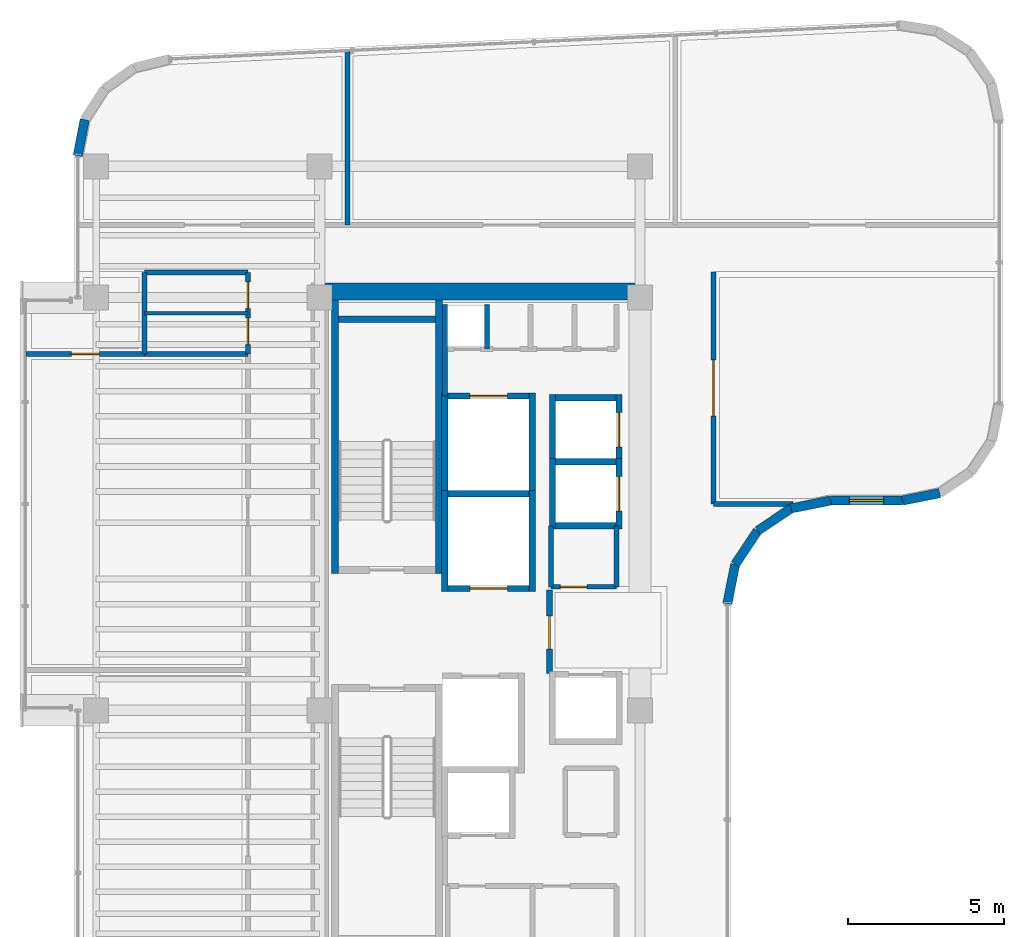
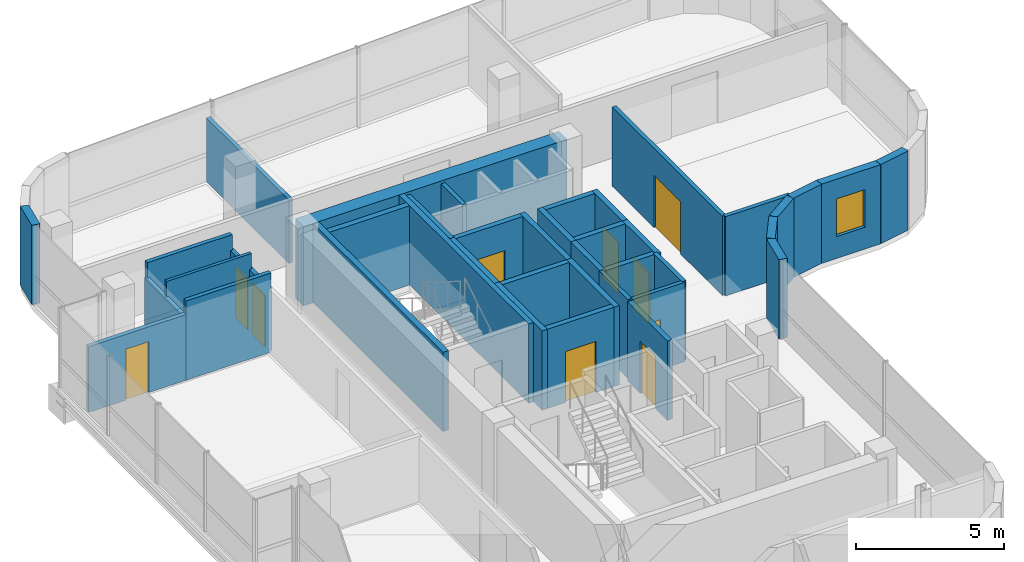
# One storey, part 15 of 18: 40 walls, 10 doors, 1 window, 11 openings.
"""IFC4 building model written with IfcOpenShell, lengths in metres."""

from ifc_helpers import new_model, si_unit, direction, frame, frame_2d, origin, place, context, subcontext, project, spatial, rectangle, extrude, material, layer, layer_set, type_object, element, fill, save


model = new_model("IFC4")

# Units and contexts
model_context = context("Model", 3, precision=1e-05, world=origin(), true_north=direction((0.0, 1.0)))
body_context = subcontext(model_context, "Body", "Model", "MODEL_VIEW")
ifc_project = project(units=[si_unit("LENGTHUNIT", "METRE"), si_unit("AREAUNIT", "SQUARE_METRE"), si_unit("VOLUMEUNIT", "CUBIC_METRE"), si_unit("PLANEANGLEUNIT", "RADIAN"), si_unit("MASSUNIT", "GRAM", prefix="KILO")], contexts=[model_context])

# Site, building, storey
site_placement = place(None, origin())
site = spatial("IfcSite", under=ifc_project, at=site_placement, CompositionType="ELEMENT")
building_placement = place(site_placement, origin())
building = spatial("IfcBuilding", under=site, at=building_placement, Name="Valdorenza Pilgrim Sanctuary Tower", CompositionType="ELEMENT")
storey_placement = place(building_placement, frame((0.0, 0.0, 273.0)))
storey = spatial("IfcBuildingStorey", under=building, at=storey_placement, Name="L71", CompositionType="ELEMENT", Elevation=273.0)

# Walls
ifc_material_1 = material(Name="Acoustic twin-stud gypsum partition", Category="gypsum")
ifc_layer_1 = layer(ifc_material_1, 0.159912109375, Name="Acoustic twin-stud gypsum partition")
ifc_layer_set_1 = layer_set([ifc_layer_1], Name="Acoustic twin-stud gypsum partition")
wall_type_1 = type_object("IfcWallType", Name="WAL-COR-160", PredefinedType="PARTITIONING", material=ifc_layer_set_1)
wall_1_placement = place(storey_placement, frame((-18.64990234375, 7.449951171875, 0.0), z_axis=(0.0, 0.0, 1.0), x_axis=(0.0, 1.0, 0.0)))
element("IfcWall", 1, at=wall_1_placement, inside=storey, type_object=wall_type_1, Name="L71 Core A North Service West Wall", PredefinedType="PARTITIONING", context=body_context, shape_type="SweptSolid", body=[
    extrude(rectangle(XDim=2.929931640625, YDim=0.159912109375, at=frame_2d((1.46484375, 0.0))), origin(), (0.0, 0.0, 1.0), 3.260009765625),
])
wall_2_placement = place(storey_placement, frame((-17.300048828125, 8.949951171875, 0.0), z_axis=(0.0, 0.0, 1.0), x_axis=(0.0, 1.0, 0.0)))
element("IfcWall", 2, at=wall_2_placement, inside=storey, type_object=wall_type_1, Name="L71 Core Electrical Riser Wall", PredefinedType="PARTITIONING", context=body_context, shape_type="SweptSolid", body=[
    extrude(rectangle(XDim=1.429931640625, YDim=0.159912109375, at=frame_2d((0.71484375, 0.0))), origin(), (0.0, 0.0, 1.0), 3.260009765625),
])
wall_3_placement = place(storey_placement, frame((-13.14990234375, 1.35009765625, 0.0), z_axis=(0.0, 0.0, 1.0), x_axis=(0.0, 1.0, 0.0)))
element("IfcWall", 3, at=wall_3_placement, inside=storey, type_object=wall_type_1, Name="L71 Freed Shaft 6 East Wall", PredefinedType="PARTITIONING", context=body_context, shape_type="SweptSolid", body=[
    extrude(rectangle(XDim=1.949951171875, YDim=0.159912109375, at=frame_2d((0.97509765625, 0.0))), origin(), (0.0, 0.0, 1.0), 3.260009765625),
])
wall_4_placement = place(storey_placement, frame((-28.25, 8.800048828125, 0.0), z_axis=(0.0, 0.0, 1.0), x_axis=(0.0, 1.0, 0.0)))
element("IfcWall", 4, at=wall_4_placement, inside=storey, type_object=wall_type_1, Name="L71 Washroom West Wall", PredefinedType="PARTITIONING", context=body_context, shape_type="SweptSolid", body=[
    extrude(rectangle(XDim=2.599853515625, YDim=0.159912109375, at=frame_2d((1.2998046875, 0.0))), origin(), (0.0, 0.0, 1.0), 2.623046875),
])

# Wall, openings, doors
wall_5_placement = place(storey_placement, frame((-24.949951171875, 8.800048828125, 0.0), z_axis=(0.0, 0.0, 1.0), x_axis=(0.0, 1.0, 0.0)))
wall_5 = element("IfcWall", 5, at=wall_5_placement, inside=storey, type_object=wall_type_1, Name="L71 Washroom East Wall", PredefinedType="PARTITIONING", context=body_context, shape_type="SweptSolid", body=[
    extrude(rectangle(XDim=2.599853515625, YDim=0.159912109375, at=frame_2d((1.2998046875, 0.0))), origin(), (0.0, 0.0, 1.0), 2.623046875),
])
opening_1_placement = place(wall_5_placement, frame((0.300048828125, 0.0, 0.0)))
opening_1 = element("IfcOpeningElement", 6, at=opening_1_placement, cuts=wall_5, Name="Opening DR-WC1", PredefinedType="OPENING", context=body_context, shape_type="SweptSolid", body=[
    extrude(rectangle(XDim=0.85009765625, YDim=2.10009765625, at=frame_2d((0.425048828125, 1.050048828125))), frame((0.0, 0.0947265625, 0.0), z_axis=(0.0, -1.0, 0.0), x_axis=(1.0, 0.0, 0.0)), (0.0, 0.0, 1.0), 0.189697265625),
])
opening_2_placement = place(wall_5_placement, frame((1.449951171875, 0.0, 0.0)))
opening_2 = element("IfcOpeningElement", 7, at=opening_2_placement, cuts=wall_5, Name="Opening DR-WC1", PredefinedType="OPENING", context=body_context, shape_type="SweptSolid", body=[
    extrude(rectangle(XDim=0.85009765625, YDim=2.10009765625, at=frame_2d((0.425048828125, 1.050048828125))), frame((0.0, 0.0947265625, 0.0), z_axis=(0.0, -1.0, 0.0), x_axis=(1.0, 0.0, 0.0)), (0.0, 0.0, 1.0), 0.189697265625),
])
ifc_material_2 = material(Name="Moisture-resistant lacquered timber", Category="wood")
door_type_1 = type_object("IfcDoorType", Name="DR-BATH-850", OperationType="NOTDEFINED", PredefinedType="DOOR", material=ifc_material_2)
door_1_placement = place(opening_1_placement, origin())
door_1 = element("IfcDoor", 8, at=door_1_placement, inside=storey, type_object=door_type_1, Name="L71 Accessible Washroom Door", OperationType="SINGLE_SWING_LEFT", OverallHeight=2.10009765625, OverallWidth=0.85009765625, PredefinedType="DOOR", context=body_context, shape_type="SweptSolid", body=[
    extrude(rectangle(XDim=0.85009765625, YDim=2.10009765625, at=frame_2d((0.425048828125, 1.050048828125))), frame((0.0, 0.02490234375, 0.0), z_axis=(0.0, -1.0, 0.0), x_axis=(1.0, 0.0, 0.0)), (0.0, 0.0, 1.0), 0.050048828125),
])
fill(opening_1, door_1)
door_2_placement = place(opening_2_placement, origin())
door_2 = element("IfcDoor", 9, at=door_2_placement, inside=storey, type_object=door_type_1, Name="L71 Public Washroom Door", OperationType="SINGLE_SWING_RIGHT", OverallHeight=2.10009765625, OverallWidth=0.85009765625, PredefinedType="DOOR", context=body_context, shape_type="SweptSolid", body=[
    extrude(rectangle(XDim=0.85009765625, YDim=2.10009765625, at=frame_2d((0.425048828125, 1.050048828125))), frame((0.0, 0.02490234375, 0.0), z_axis=(0.0, -1.0, 0.0), x_axis=(1.0, 0.0, 0.0)), (0.0, 0.0, 1.0), 0.050048828125),
])
fill(opening_2, door_2)

# Walls
for number, where, z_axis, x_axis, name in (
    (10, (-28.25, 8.800048828125, 0.0), (0.0, 0.0, 1.0), (1.0, 0.0, 0.0), "L71 Washroom South Wall"),
    (11, (-28.25, 11.39990234375, 0.0), (0.0, 0.0, 1.0), (1.0, 0.0, 0.0), "L71 Washroom North Wall"),
):
    element("IfcWall", number, at=place(storey_placement, frame(where, z_axis=z_axis, x_axis=x_axis)), inside=storey, type_object=wall_type_1, Name=name, PredefinedType="PARTITIONING", context=body_context, shape_type="SweptSolid", body=[
        extrude(rectangle(XDim=3.300048828125, YDim=0.159912109375, at=frame_2d((1.64990234375, 0.0))), origin(), (0.0, 0.0, 1.0), 3.260009765625),
    ])

# Wall, opening, door
wall_6_placement = place(storey_placement, frame((-32.0400390625, 8.800048828125, 0.0), z_axis=(0.0, 0.0, 1.0), x_axis=(1.0, 0.0, 0.0)))
wall_6 = element("IfcWall", 12, at=wall_6_placement, inside=storey, type_object=wall_type_1, Name="L71 West North Alcove Wall", PredefinedType="PARTITIONING", context=body_context, shape_type="SweptSolid", body=[
    extrude(rectangle(XDim=3.7900390625, YDim=0.159912109375, at=frame_2d((1.89501953125, 0.0))), origin(), (0.0, 0.0, 1.0), 2.7060546875),
])
opening_3_placement = place(wall_6_placement, frame((1.445068359375, 0.0, 0.0)))
opening_3 = element("IfcOpeningElement", 13, at=opening_3_placement, cuts=wall_6, Name="Opening DR-RM1", PredefinedType="OPENING", context=body_context, shape_type="SweptSolid", body=[
    extrude(rectangle(XDim=0.89990234375, YDim=2.10009765625, at=frame_2d((0.449951171875, 1.050048828125))), frame((0.0, 0.0947265625, 0.0), z_axis=(0.0, -1.0, 0.0), x_axis=(1.0, 0.0, 0.0)), (0.0, 0.0, 1.0), 0.189697265625),
])
ifc_material_3 = material(Name="Solid-core European oak timber", Category="wood")
door_type_2 = type_object("IfcDoorType", Name="DR-ROOM-900", OperationType="NOTDEFINED", PredefinedType="DOOR", material=ifc_material_3)
door_3_placement = place(opening_3_placement, frame((0.89990234375, 0.0, 0.0), z_axis=(0.0, 0.0, 1.0), x_axis=(-1.0, 0.0, 0.0)))
door_3 = element("IfcDoor", 14, at=door_3_placement, inside=storey, type_object=door_type_2, Name="L71 Pilgrim Scholar Office L71-WN Door", OperationType="SINGLE_SWING_LEFT", OverallHeight=2.10009765625, OverallWidth=0.89990234375, PredefinedType="DOOR", context=body_context, shape_type="SweptSolid", body=[
    extrude(rectangle(XDim=0.89990234375, YDim=2.10009765625, at=frame_2d((0.449951171875, 1.050048828125))), frame((0.0, 0.02490234375, 0.0), z_axis=(0.0, -1.0, 0.0), x_axis=(1.0, 0.0, 0.0)), (0.0, 0.0, 1.0), 0.050048828125),
])
fill(opening_3, door_3)

wall_7_placement = place(storey_placement, frame((-10.050048828125, 4.0, 0.0), z_axis=(0.0, 0.0, 1.0), x_axis=(0.0, 1.0, 0.0)))
wall_7 = element("IfcWall", 15, at=wall_7_placement, inside=storey, type_object=wall_type_1, Name="L71 East Stub Corridor Wall", PredefinedType="PARTITIONING", context=body_context, shape_type="SweptSolid", body=[
    extrude(rectangle(XDim=7.419921875, YDim=0.159912109375, at=frame_2d((3.7099609375, 0.0))), origin(), (0.0, 0.0, 1.0), 3.260009765625),
])
opening_4_placement = place(wall_7_placement, frame((2.81005859375, 0.0, 0.0)))
opening_4 = element("IfcOpeningElement", 16, at=opening_4_placement, cuts=wall_7, Name="Opening DR-HL1", PredefinedType="OPENING", context=body_context, shape_type="SweptSolid", body=[
    extrude(rectangle(XDim=1.800048828125, YDim=2.14990234375, at=frame_2d((0.89990234375, 1.074951171875))), frame((0.0, 0.0947265625, 0.0), z_axis=(0.0, -1.0, 0.0), x_axis=(1.0, 0.0, 0.0)), (0.0, 0.0, 1.0), 0.189697265625),
])
ifc_material_4 = material(Name="Acoustic oak and vision-glass double door", Category="glass")
door_type_3 = type_object("IfcDoorType", Name="DR-HALL-1800", OperationType="NOTDEFINED", PredefinedType="DOOR", material=ifc_material_4)
door_4_placement = place(opening_4_placement, origin())
door_4 = element("IfcDoor", 17, at=door_4_placement, inside=storey, type_object=door_type_3, Name="L71 Sacred Art Exhibition Gallery L71-E1 Door", OperationType="DOUBLE_DOOR_SINGLE_SWING", OverallHeight=2.14990234375, OverallWidth=1.800048828125, PredefinedType="DOOR", context=body_context, shape_type="SweptSolid", body=[
    extrude(rectangle(XDim=1.800048828125, YDim=2.14990234375, at=frame_2d((0.89990234375, 1.074951171875))), frame((0.0, 0.02490234375, 0.0), z_axis=(0.0, -1.0, 0.0), x_axis=(1.0, 0.0, 0.0)), (0.0, 0.0, 1.0), 0.050048828125),
])
fill(opening_4, door_4)

# Walls
wall_8_placement = place(storey_placement, frame((-10.050048828125, 4.0, 0.0), z_axis=(0.0, 0.0, 1.0), x_axis=(1.0, 0.0, 0.0)))
element("IfcWall", 18, at=wall_8_placement, inside=storey, type_object=wall_type_1, Name="L71 East Stub South Wall", PredefinedType="PARTITIONING", context=body_context, shape_type="SweptSolid", body=[
    extrude(rectangle(XDim=2.545654296875, YDim=0.159912109375, at=frame_2d((1.27294921875, 0.0))), origin(), (0.0, 0.0, 1.0), 3.260009765625),
])
ifc_material_5 = material(Name="Concrete C50/60", Category="concrete")
ifc_layer_2 = layer(ifc_material_5, 0.550048828125, Name="Concrete C50/60")
ifc_layer_set_2 = layer_set([ifc_layer_2], Name="Concrete C50/60")
wall_type_2 = type_object("IfcWallType", Name="WAL-COR-550", PredefinedType="SHEAR", material=ifc_layer_set_2)
wall_9_placement = place(storey_placement, frame((-22.64990234375, 10.800048828125, 0.0), z_axis=(0.0, 0.0, 1.0), x_axis=(1.0, 0.0, 0.0)))
element("IfcWall", 19, at=wall_9_placement, inside=storey, type_object=wall_type_2, Name="L71 Split Core A Shear Wall N", PredefinedType="SHEAR", context=body_context, shape_type="SweptSolid", body=[
    extrude(rectangle(XDim=10.25, YDim=0.550048828125, at=frame_2d((5.125, 0.0))), origin(), (0.0, 0.0, 1.0), 3.260009765625),
])
ifc_material_6 = material(Name="Honed travertine limestone", Category="masonry")
ifc_layer_3 = layer(ifc_material_6, 0.300048828125, Name="Honed travertine limestone")
ifc_layer_set_3 = layer_set([ifc_layer_3], Name="Honed travertine limestone")
wall_type_3 = type_object("IfcWallType", Name="WAL-EXT-300", PredefinedType="SOLIDWALL", material=ifc_layer_set_3)
wall_10_placement = place(storey_placement, frame((-30.389892578125, 15.13671875, 0.0), z_axis=(0.0, 0.0, 1.0), x_axis=(0.189307792679, 0.981917796779, 0.0)))
element("IfcWall", 20, at=wall_10_placement, inside=storey, type_object=wall_type_3, Name="L71 Rounded Wind-Corner Stone Pier 2", PredefinedType="SOLIDWALL", context=body_context, shape_type="SweptSolid", body=[
    extrude(rectangle(XDim=1.179931640625, YDim=0.300048828125, at=frame_2d((0.58984375, 0.0))), origin(), (0.0, 0.0, 1.0), 3.260009765625),
])
wall_11_placement = place(storey_placement, frame((-2.818359375, 4.34716796875, 0.0), z_axis=(0.0, 0.0, 1.0), x_axis=(-0.980804027463, -0.194996050505, 0.0)))
element("IfcWall", 21, at=wall_11_placement, inside=storey, type_object=wall_type_3, Name="L71 Rounded Wind-Corner Stone Pier 15", PredefinedType="SOLIDWALL", context=body_context, shape_type="SweptSolid", body=[
    extrude(rectangle(XDim=1.2158203125, YDim=0.300048828125, at=frame_2d((0.60791015625, 0.0))), origin(), (0.0, 0.0, 1.0), 3.260009765625),
])

# Wall, opening, window
wall_12_placement = place(storey_placement, frame((-4.0107421875, 4.110107421875, 0.0), z_axis=(0.0, 0.0, 1.0), x_axis=(-1.0, 0.0, 0.0)))
wall_12 = element("IfcWall", 22, at=wall_12_placement, inside=storey, type_object=wall_type_3, Name="L71 Rounded Wind-Corner Stone Pier 16", PredefinedType="SOLIDWALL", context=body_context, shape_type="SweptSolid", body=[
    extrude(rectangle(XDim=2.300048828125, YDim=0.300048828125, at=frame_2d((1.14990234375, 0.0))), origin(), (0.0, 0.0, 1.0), 3.260009765625),
])
opening_5_placement = place(wall_12_placement, frame((0.60009765625, 0.0, 0.89990234375)))
opening_5 = element("IfcOpeningElement", 23, at=opening_5_placement, cuts=wall_12, Name="Opening WN-CR1", PredefinedType="OPENING", context=body_context, shape_type="SweptSolid", body=[
    extrude(rectangle(XDim=1.10009765625, YDim=1.550048828125, at=frame_2d((0.550048828125, 0.77490234375))), frame((0.0, 0.1650390625, 0.0), z_axis=(0.0, -1.0, 0.0), x_axis=(1.0, 0.0, 0.0)), (0.0, 0.0, 1.0), 0.329833984375),
])
ifc_material_7 = material(Name="Ceramic-fritted low-E IGU glazing", Category="glass")
window_type = type_object("IfcWindowType", Name="WIN-CRN-1200", PartitioningType="SINGLE_PANEL", PredefinedType="WINDOW", material=ifc_material_7)
window_placement = place(opening_5_placement, origin())
window = element("IfcWindow", 24, at=window_placement, inside=storey, type_object=window_type, Name="L71 Rounded Corner Slot Window 16", OverallHeight=1.550048828125, OverallWidth=1.10009765625, PartitioningType="SINGLE_PANEL", PredefinedType="WINDOW", context=body_context, shape_type="SweptSolid", body=[
    extrude(rectangle(XDim=1.10009765625, YDim=1.550048828125, at=frame_2d((0.550048828125, 0.77490234375))), frame((0.0, 0.030029296875, 0.0), z_axis=(0.0, -1.0, 0.0), x_axis=(1.0, 0.0, 0.0)), (0.0, 0.0, 1.0), 0.06005859375),
])
fill(opening_5, window)

# Walls
wall_13_placement = place(storey_placement, frame((-6.310791015625, 4.110107421875, 0.0), z_axis=(0.0, 0.0, 1.0), x_axis=(-0.980778058848, -0.195126623715, 0.0)))
element("IfcWall", 25, at=wall_13_placement, inside=storey, type_object=wall_type_3, Name="L71 Rounded Wind-Corner Stone Pier 17", PredefinedType="SOLIDWALL", context=body_context, shape_type="SweptSolid", body=[
    extrude(rectangle(XDim=1.28125, YDim=0.300048828125, at=frame_2d((0.640625, 0.0))), origin(), (0.0, 0.0, 1.0), 3.260009765625),
])
for number, where, z_axis, x_axis, name in (
    (26, (-7.5673828125, 3.860107421875, 0.0), (0.0, 0.0, 1.0), (-0.831497739511, -0.555528135371, 0.0), "L71 Rounded Wind-Corner Stone Pier 18"),
    (27, (-8.64208984375, 3.14208984375, 0.0), (0.0, 0.0, 1.0), (-0.555528135371, -0.831497739511, 0.0), "L71 Rounded Wind-Corner Stone Pier 19"),
):
    element("IfcWall", number, at=place(storey_placement, frame(where, z_axis=z_axis, x_axis=x_axis)), inside=storey, type_object=wall_type_3, Name=name, PredefinedType="SOLIDWALL", context=body_context, shape_type="SweptSolid", body=[
        extrude(rectangle(XDim=1.29248046875, YDim=0.300048828125, at=frame_2d((0.646240234375, 0.0))), origin(), (0.0, 0.0, 1.0), 3.260009765625),
    ])
wall_14_placement = place(storey_placement, frame((-9.360107421875, 2.0673828125, 0.0), z_axis=(0.0, 0.0, 1.0), x_axis=(-0.195126623715, -0.980778058848, 0.0)))
element("IfcWall", 28, at=wall_14_placement, inside=storey, type_object=wall_type_3, Name="L71 Rounded Wind-Corner Stone Pier 20", PredefinedType="SOLIDWALL", context=body_context, shape_type="SweptSolid", body=[
    extrude(rectangle(XDim=1.28125, YDim=0.300048828125, at=frame_2d((0.640625, 0.0))), origin(), (0.0, 0.0, 1.0), 3.260009765625),
])

# Wall, opening, door
ifc_material_8 = material(Name="Gypsum shaftwall partition", Category="gypsum")
ifc_layer_4 = layer(ifc_material_8, 0.199951171875, Name="Gypsum shaftwall partition")
ifc_layer_set_4 = layer_set([ifc_layer_4], Name="Gypsum shaftwall partition")
wall_type_4 = type_object("IfcWallType", Name="WAL-FFL-200", PredefinedType="PARTITIONING", material=ifc_layer_set_4)
wall_15_placement = place(storey_placement, frame((-15.300048828125, -1.419921875, 0.0), z_axis=(0.0, 0.0, 1.0), x_axis=(0.0, 1.0, 0.0)))
wall_15 = element("IfcWall", 29, at=wall_15_placement, inside=storey, type_object=wall_type_4, Name="L71 Core A Firefighting Lobby East Wall", PredefinedType="PARTITIONING", context=body_context, shape_type="SweptSolid", body=[
    extrude(rectangle(XDim=2.669921875, YDim=0.199951171875, at=frame_2d((1.3349609375, 0.0))), origin(), (0.0, 0.0, 1.0), 3.260009765625),
])
opening_6_placement = place(wall_15_placement, frame((0.780029296875, 0.0, 0.0)))
opening_6 = element("IfcOpeningElement", 30, at=opening_6_placement, cuts=wall_15, Name="Opening DR-FL1", PredefinedType="OPENING", context=body_context, shape_type="SweptSolid", body=[
    extrude(rectangle(XDim=1.050048828125, YDim=2.14990234375, at=frame_2d((0.52490234375, 1.074951171875))), frame((0.0, 0.11474609375, 0.0), z_axis=(0.0, -1.0, 0.0), x_axis=(1.0, 0.0, 0.0)), (0.0, 0.0, 1.0), 0.229736328125),
])
ifc_material_9 = material(Name="Painted galvanized steel", Category="steel")
door_type_4 = type_object("IfcDoorType", Name="DR-FFL-1050", OperationType="NOTDEFINED", PredefinedType="DOOR", material=ifc_material_9)
door_5_placement = place(opening_6_placement, origin())
door_5 = element("IfcDoor", 31, at=door_5_placement, inside=storey, type_object=door_type_4, Name="L71 Core A Firefighting Lobby Door", OperationType="SINGLE_SWING_RIGHT", OverallHeight=2.14990234375, OverallWidth=1.050048828125, PredefinedType="DOOR", context=body_context, shape_type="SweptSolid", body=[
    extrude(rectangle(XDim=1.050048828125, YDim=2.14990234375, at=frame_2d((0.52490234375, 1.074951171875))), frame((0.0, 0.02490234375, 0.0), z_axis=(0.0, -1.0, 0.0), x_axis=(1.0, 0.0, 0.0)), (0.0, 0.0, 1.0), 0.050048828125),
])
fill(opening_6, door_5)

# Walls
ifc_material_10 = material(Name="Moisture-resistant gypsum partition", Category="gypsum")
ifc_layer_5 = layer(ifc_material_10, 0.1201171875, Name="Moisture-resistant gypsum partition")
ifc_layer_set_5 = layer_set([ifc_layer_5], Name="Moisture-resistant gypsum partition")
wall_type_5 = type_object("IfcWallType", Name="WAL-INT-120", PredefinedType="PARTITIONING", material=ifc_layer_set_5)
wall_16_placement = place(storey_placement, frame((-28.25, 10.10009765625, 0.0), z_axis=(0.0, 0.0, 1.0), x_axis=(1.0, 0.0, 0.0)))
element("IfcWall", 32, at=wall_16_placement, inside=storey, type_object=wall_type_5, Name="L71 Washroom Divider Wall", PredefinedType="PARTITIONING", context=body_context, shape_type="SweptSolid", body=[
    extrude(rectangle(XDim=3.300048828125, YDim=0.1201171875, at=frame_2d((1.64990234375, 0.0))), origin(), (0.0, 0.0, 1.0), 3.260009765625),
])
ifc_material_11 = material(Name="Autoclaved aerated concrete blockwork", Category="masonry")
ifc_layer_6 = layer(ifc_material_11, 0.199951171875, Name="Autoclaved aerated concrete blockwork")
ifc_layer_set_6 = layer_set([ifc_layer_6], Name="Autoclaved aerated concrete blockwork")
wall_type_6 = type_object("IfcWallType", Name="WAL-SHF-200", PredefinedType="MOVABLE", material=ifc_layer_set_6)
for number, where, z_axis, x_axis, name in (
    (33, (-18.64990234375, 1.199951171875, 0.0), (0.0, 0.0, 1.0), (0.0, 1.0, 0.0), "L71 Lift FFL-01 Hoistway Wall West"),
    (34, (-15.85009765625, 1.199951171875, 0.0), (0.0, 0.0, 1.0), (0.0, 1.0, 0.0), "L71 Lift FFL-01 Hoistway Wall East"),
):
    element("IfcWall", number, at=place(storey_placement, frame(where, z_axis=z_axis, x_axis=x_axis)), inside=storey, type_object=wall_type_6, Name=name, PredefinedType="MOVABLE", context=body_context, shape_type="SweptSolid", body=[
        extrude(rectangle(XDim=3.22509765625, YDim=0.199951171875, at=frame_2d((1.612548828125, 0.0))), origin(), (0.0, 0.0, 1.0), 3.260009765625),
    ])

# Wall, opening, door
wall_17_placement = place(storey_placement, frame((-18.550048828125, 1.300048828125, 0.0), z_axis=(0.0, 0.0, 1.0), x_axis=(1.0, 0.0, 0.0)))
wall_17 = element("IfcWall", 35, at=wall_17_placement, inside=storey, type_object=wall_type_6, Name="L71 Lift FFL-01 Hoistway Wall South", PredefinedType="MOVABLE", context=body_context, shape_type="SweptSolid", body=[
    extrude(rectangle(XDim=2.60009765625, YDim=0.199951171875, at=frame_2d((1.300048828125, 0.0))), origin(), (0.0, 0.0, 1.0), 3.260009765625),
])
opening_7_placement = place(wall_17_placement, frame((0.699951171875, 0.0, 0.0)))
opening_7 = element("IfcOpeningElement", 36, at=opening_7_placement, cuts=wall_17, Name="Opening LD-02", PredefinedType="OPENING", context=body_context, shape_type="SweptSolid", body=[
    extrude(rectangle(XDim=1.199951171875, YDim=2.10009765625, at=frame_2d((0.60009765625, 1.050048828125))), frame((0.0, 0.11474609375, 0.0), z_axis=(0.0, -1.0, 0.0), x_axis=(1.0, 0.0, 0.0)), (0.0, 0.0, 1.0), 0.229736328125),
])
ifc_material_12 = material(Name="Brushed stainless steel Grade 316", Category="steel")
door_type_5 = type_object("IfcDoorType", Name="DR-LFT-1200", OperationType="DOUBLE_DOOR_SLIDING", PredefinedType="DOOR", material=ifc_material_12)
door_6_placement = place(opening_7_placement, origin())
door_6 = element("IfcDoor", 37, at=door_6_placement, inside=storey, type_object=door_type_5, Name="L71 Lift FFL-01 Sliding Landing Door", OperationType="DOUBLE_DOOR_SLIDING", OverallHeight=2.10009765625, OverallWidth=1.199951171875, PredefinedType="DOOR", context=body_context, shape_type="SweptSolid", body=[
    extrude(rectangle(XDim=1.199951171875, YDim=2.10009765625, at=frame_2d((0.60009765625, 1.050048828125))), frame((0.0, 0.02490234375, 0.0), z_axis=(0.0, -1.0, 0.0), x_axis=(1.0, 0.0, 0.0)), (0.0, 0.0, 1.0), 0.050048828125),
])
fill(opening_7, door_6)

# Walls
wall_18_placement = place(storey_placement, frame((-18.550048828125, 4.324951171875, 0.0), z_axis=(0.0, 0.0, 1.0), x_axis=(1.0, 0.0, 0.0)))
element("IfcWall", 38, at=wall_18_placement, inside=storey, type_object=wall_type_6, Name="L71 Lift FFL-01 Hoistway Wall North", PredefinedType="MOVABLE", context=body_context, shape_type="SweptSolid", body=[
    extrude(rectangle(XDim=2.60009765625, YDim=0.199951171875, at=frame_2d((1.300048828125, 0.0))), origin(), (0.0, 0.0, 1.0), 3.260009765625),
])
for number, where, z_axis, x_axis, name in (
    (39, (-18.64990234375, 4.22509765625, 0.0), (0.0, 0.0, 1.0), (0.0, 1.0, 0.0), "L71 Lift SVL-01 Hoistway Wall West"),
    (40, (-15.85009765625, 4.22509765625, 0.0), (0.0, 0.0, 1.0), (0.0, 1.0, 0.0), "L71 Lift SVL-01 Hoistway Wall East"),
):
    element("IfcWall", number, at=place(storey_placement, frame(where, z_axis=z_axis, x_axis=x_axis)), inside=storey, type_object=wall_type_6, Name=name, PredefinedType="MOVABLE", context=body_context, shape_type="SweptSolid", body=[
        extrude(rectangle(XDim=3.324951171875, YDim=0.199951171875, at=frame_2d((1.66259765625, 0.0))), origin(), (0.0, 0.0, 1.0), 3.260009765625),
    ])

# Wall, opening, door
wall_19_placement = place(storey_placement, frame((-18.550048828125, 7.449951171875, 0.0), z_axis=(0.0, 0.0, 1.0), x_axis=(1.0, 0.0, 0.0)))
wall_19 = element("IfcWall", 41, at=wall_19_placement, inside=storey, type_object=wall_type_6, Name="L71 Lift SVL-01 Hoistway Wall North", PredefinedType="MOVABLE", context=body_context, shape_type="SweptSolid", body=[
    extrude(rectangle(XDim=2.60009765625, YDim=0.199951171875, at=frame_2d((1.300048828125, 0.0))), origin(), (0.0, 0.0, 1.0), 3.260009765625),
])
opening_8_placement = place(wall_19_placement, frame((0.699951171875, 0.0, 0.0)))
opening_8 = element("IfcOpeningElement", 42, at=opening_8_placement, cuts=wall_19, Name="Opening LD-02", PredefinedType="OPENING", context=body_context, shape_type="SweptSolid", body=[
    extrude(rectangle(XDim=1.199951171875, YDim=2.10009765625, at=frame_2d((0.60009765625, 1.050048828125))), frame((0.0, 0.11474609375, 0.0), z_axis=(0.0, -1.0, 0.0), x_axis=(1.0, 0.0, 0.0)), (0.0, 0.0, 1.0), 0.229736328125),
])
door_7_placement = place(opening_8_placement, origin())
door_7 = element("IfcDoor", 43, at=door_7_placement, inside=storey, type_object=door_type_5, Name="L71 Lift SVL-01 Sliding Landing Door", OperationType="DOUBLE_DOOR_SLIDING", OverallHeight=2.10009765625, OverallWidth=1.199951171875, PredefinedType="DOOR", context=body_context, shape_type="SweptSolid", body=[
    extrude(rectangle(XDim=1.199951171875, YDim=2.10009765625, at=frame_2d((0.60009765625, 1.050048828125))), frame((0.0, 0.02490234375, 0.0), z_axis=(0.0, -1.0, 0.0), x_axis=(1.0, 0.0, 0.0)), (0.0, 0.0, 1.0), 0.050048828125),
])
fill(opening_8, door_7)

# Wall
wall_20_placement = place(storey_placement, frame((-15.199951171875, 3.199951171875, 0.0), z_axis=(0.0, 0.0, 1.0), x_axis=(0.0, 1.0, 0.0)))
element("IfcWall", 44, at=wall_20_placement, inside=storey, type_object=wall_type_6, Name="L71 Lift PL-09 Hoistway Wall West", PredefinedType="MOVABLE", context=body_context, shape_type="SweptSolid", body=[
    extrude(rectangle(XDim=2.25, YDim=0.199951171875, at=frame_2d((1.125, 0.0))), origin(), (0.0, 0.0, 1.0), 3.260009765625),
])

# Wall, opening, door
wall_21_placement = place(storey_placement, frame((-13.080078125, 3.199951171875, 0.0), z_axis=(0.0, 0.0, 1.0), x_axis=(0.0, 1.0, 0.0)))
wall_21 = element("IfcWall", 45, at=wall_21_placement, inside=storey, type_object=wall_type_6, Name="L71 Lift PL-09 Hoistway Wall East", PredefinedType="MOVABLE", context=body_context, shape_type="SweptSolid", body=[
    extrude(rectangle(XDim=2.25, YDim=0.199951171875, at=frame_2d((1.125, 0.0))), origin(), (0.0, 0.0, 1.0), 3.260009765625),
])
opening_9_placement = place(wall_21_placement, frame((0.574951171875, 0.0, 0.0)))
opening_9 = element("IfcOpeningElement", 46, at=opening_9_placement, cuts=wall_21, Name="Opening LD-01", PredefinedType="OPENING", context=body_context, shape_type="SweptSolid", body=[
    extrude(rectangle(XDim=1.10009765625, YDim=2.10009765625, at=frame_2d((0.550048828125, 1.050048828125))), frame((0.0, 0.11474609375, 0.0), z_axis=(0.0, -1.0, 0.0), x_axis=(1.0, 0.0, 0.0)), (0.0, 0.0, 1.0), 0.229736328125),
])
door_type_6 = type_object("IfcDoorType", Name="DR-LFT-1100", OperationType="DOUBLE_DOOR_SLIDING", PredefinedType="DOOR", material=ifc_material_12)
door_8_placement = place(opening_9_placement, origin())
door_8 = element("IfcDoor", 47, at=door_8_placement, inside=storey, type_object=door_type_6, Name="L71 Lift PL-09 Sliding Landing Door", OperationType="DOUBLE_DOOR_SLIDING", OverallHeight=2.10009765625, OverallWidth=1.10009765625, PredefinedType="DOOR", context=body_context, shape_type="SweptSolid", body=[
    extrude(rectangle(XDim=1.10009765625, YDim=2.10009765625, at=frame_2d((0.550048828125, 1.050048828125))), frame((0.0, 0.02490234375, 0.0), z_axis=(0.0, -1.0, 0.0), x_axis=(1.0, 0.0, 0.0)), (0.0, 0.0, 1.0), 0.050048828125),
])
fill(opening_9, door_8)

# Walls
for number, where, z_axis, x_axis, name in (
    (48, (-15.10009765625, 3.300048828125, 0.0), (0.0, 0.0, 1.0), (1.0, 0.0, 0.0), "L71 Lift PL-09 Hoistway Wall South"),
    (49, (-15.10009765625, 5.35009765625, 0.0), (0.0, 0.0, 1.0), (1.0, 0.0, 0.0), "L71 Lift PL-09 Hoistway Wall North"),
):
    element("IfcWall", number, at=place(storey_placement, frame(where, z_axis=z_axis, x_axis=x_axis)), inside=storey, type_object=wall_type_6, Name=name, PredefinedType="MOVABLE", context=body_context, shape_type="SweptSolid", body=[
        extrude(rectangle(XDim=1.920166015625, YDim=0.199951171875, at=frame_2d((0.9599609375, 0.0))), origin(), (0.0, 0.0, 1.0), 3.260009765625),
    ])
wall_22_placement = place(storey_placement, frame((-15.199951171875, 5.25, 0.0), z_axis=(0.0, 0.0, 1.0), x_axis=(0.0, 1.0, 0.0)))
element("IfcWall", 50, at=wall_22_placement, inside=storey, type_object=wall_type_6, Name="L71 Lift PL-10 Hoistway Wall West", PredefinedType="MOVABLE", context=body_context, shape_type="SweptSolid", body=[
    extrude(rectangle(XDim=2.25, YDim=0.199951171875, at=frame_2d((1.125, 0.0))), origin(), (0.0, 0.0, 1.0), 3.260009765625),
])

# Wall, opening, door
wall_23_placement = place(storey_placement, frame((-13.080078125, 5.25, 0.0), z_axis=(0.0, 0.0, 1.0), x_axis=(0.0, 1.0, 0.0)))
wall_23 = element("IfcWall", 51, at=wall_23_placement, inside=storey, type_object=wall_type_6, Name="L71 Lift PL-10 Hoistway Wall East", PredefinedType="MOVABLE", context=body_context, shape_type="SweptSolid", body=[
    extrude(rectangle(XDim=2.25, YDim=0.199951171875, at=frame_2d((1.125, 0.0))), origin(), (0.0, 0.0, 1.0), 3.260009765625),
])
opening_10_placement = place(wall_23_placement, frame((0.574951171875, 0.0, 0.0)))
opening_10 = element("IfcOpeningElement", 52, at=opening_10_placement, cuts=wall_23, Name="Opening LD-01", PredefinedType="OPENING", context=body_context, shape_type="SweptSolid", body=[
    extrude(rectangle(XDim=1.10009765625, YDim=2.10009765625, at=frame_2d((0.550048828125, 1.050048828125))), frame((0.0, 0.11474609375, 0.0), z_axis=(0.0, -1.0, 0.0), x_axis=(1.0, 0.0, 0.0)), (0.0, 0.0, 1.0), 0.229736328125),
])
door_9_placement = place(opening_10_placement, origin())
door_9 = element("IfcDoor", 53, at=door_9_placement, inside=storey, type_object=door_type_6, Name="L71 Lift PL-10 Sliding Landing Door", OperationType="DOUBLE_DOOR_SLIDING", OverallHeight=2.10009765625, OverallWidth=1.10009765625, PredefinedType="DOOR", context=body_context, shape_type="SweptSolid", body=[
    extrude(rectangle(XDim=1.10009765625, YDim=2.10009765625, at=frame_2d((0.550048828125, 1.050048828125))), frame((0.0, 0.02490234375, 0.0), z_axis=(0.0, -1.0, 0.0), x_axis=(1.0, 0.0, 0.0)), (0.0, 0.0, 1.0), 0.050048828125),
])
fill(opening_10, door_9)

# Walls
wall_24_placement = place(storey_placement, frame((-15.10009765625, 7.39990234375, 0.0), z_axis=(0.0, 0.0, 1.0), x_axis=(1.0, 0.0, 0.0)))
element("IfcWall", 54, at=wall_24_placement, inside=storey, type_object=wall_type_6, Name="L71 Lift PL-10 Hoistway Wall North", PredefinedType="MOVABLE", context=body_context, shape_type="SweptSolid", body=[
    extrude(rectangle(XDim=1.920166015625, YDim=0.199951171875, at=frame_2d((0.9599609375, 0.0))), origin(), (0.0, 0.0, 1.0), 3.260009765625),
])
ifc_material_13 = material(Name="Concrete C40/50", Category="concrete")
ifc_layer_7 = layer(ifc_material_13, 0.219970703125, Name="Concrete C40/50")
ifc_layer_set_7 = layer_set([ifc_layer_7], Name="Concrete C40/50")
wall_type_7 = type_object("IfcWallType", Name="WAL-STR-SHF-220", PredefinedType="SHEAR", material=ifc_layer_set_7)
for number, where, z_axis, x_axis, name in (
    (55, (-22.159912109375, 1.780029296875, 0.0), (0.0, 0.0, 1.0), (0.0, 1.0, 0.0), "L71 ST-A1 Structural Stairwell Wall W"),
    (56, (-18.830078125, 1.780029296875, 0.0), (0.0, 0.0, 1.0), (0.0, 1.0, 0.0), "L71 ST-A1 Structural Stairwell Wall E"),
):
    element("IfcWall", number, at=place(storey_placement, frame(where, z_axis=z_axis, x_axis=x_axis)), inside=storey, type_object=wall_type_7, Name=name, PredefinedType="SHEAR", context=body_context, shape_type="SweptSolid", body=[
        extrude(rectangle(XDim=8.744873046875, YDim=0.219970703125, at=frame_2d((4.37255859375, 0.0))), origin(), (0.0, 0.0, 1.0), 3.260009765625),
    ])
wall_25_placement = place(storey_placement, frame((-22.050048828125, 9.909912109375, 0.0), z_axis=(0.0, 0.0, 1.0), x_axis=(1.0, 0.0, 0.0)))
element("IfcWall", 57, at=wall_25_placement, inside=storey, type_object=wall_type_7, Name="L71 ST-A1 Structural Stairwell Wall N", PredefinedType="SHEAR", context=body_context, shape_type="SweptSolid", body=[
    extrude(rectangle(XDim=3.110107421875, YDim=0.219970703125, at=frame_2d((1.55517578125, 0.0))), origin(), (0.0, 0.0, 1.0), 3.260009765625),
])
ifc_layer_8 = layer(ifc_material_1, 0.14990234375, Name="Acoustic twin-stud gypsum partition")
ifc_layer_set_8 = layer_set([ifc_layer_8], Name="Acoustic twin-stud gypsum partition")
wall_type_8 = type_object("IfcWallType", Name="WAL-UNT-150", PredefinedType="PARTITIONING", material=ifc_layer_set_8)
wall_26_placement = place(storey_placement, frame((-15.25, 1.35009765625, 0.0), z_axis=(0.0, 0.0, 1.0), x_axis=(0.0, 1.0, 0.0)))
element("IfcWall", 58, at=wall_26_placement, inside=storey, type_object=wall_type_8, Name="L71 Freed Shaft 6 West Wall", PredefinedType="PARTITIONING", context=body_context, shape_type="SweptSolid", body=[
    extrude(rectangle(XDim=1.949951171875, YDim=0.14990234375, at=frame_2d((0.97509765625, 0.0))), origin(), (0.0, 0.0, 1.0), 3.260009765625),
])

# Wall, opening, door
wall_27_placement = place(storey_placement, frame((-15.25, 1.35009765625, 0.0), z_axis=(0.0, 0.0, 1.0), x_axis=(1.0, 0.0, 0.0)))
wall_27 = element("IfcWall", 59, at=wall_27_placement, inside=storey, type_object=wall_type_8, Name="L71 Freed Shaft 6 South Wall", PredefinedType="PARTITIONING", context=body_context, shape_type="SweptSolid", body=[
    extrude(rectangle(XDim=2.10009765625, YDim=0.14990234375, at=frame_2d((1.050048828125, 0.0))), origin(), (0.0, 0.0, 1.0), 3.260009765625),
])
opening_11_placement = place(wall_27_placement, frame((0.300048828125, 0.0, 0.0)))
opening_11 = element("IfcOpeningElement", 60, at=opening_11_placement, cuts=wall_27, Name="Opening DR-RS1", PredefinedType="OPENING", context=body_context, shape_type="SweptSolid", body=[
    extrude(rectangle(XDim=0.85009765625, YDim=2.050048828125, at=frame_2d((0.425048828125, 1.02490234375))), frame((0.0, 0.08984375, 0.0), z_axis=(0.0, -1.0, 0.0), x_axis=(1.0, 0.0, 0.0)), (0.0, 0.0, 1.0), 0.1796875),
])
door_type_7 = type_object("IfcDoorType", Name="DR-RSR-850", OperationType="NOTDEFINED", PredefinedType="DOOR", material=ifc_material_9)
door_10_placement = place(opening_11_placement, origin())
door_10 = element("IfcDoor", 61, at=door_10_placement, inside=storey, type_object=door_type_7, Name="L71 High-Rise Butler Pantry Door", OperationType="SINGLE_SWING_RIGHT", OverallHeight=2.050048828125, OverallWidth=0.85009765625, PredefinedType="DOOR", context=body_context, shape_type="SweptSolid", body=[
    extrude(rectangle(XDim=0.85009765625, YDim=2.050048828125, at=frame_2d((0.425048828125, 1.02490234375))), frame((0.0, 0.02490234375, 0.0), z_axis=(0.0, -1.0, 0.0), x_axis=(1.0, 0.0, 0.0)), (0.0, 0.0, 1.0), 0.050048828125),
])
fill(opening_11, door_10)

# Wall
wall_28_placement = place(storey_placement, frame((-21.760009765625, 12.919921875, 0.0), z_axis=(0.0, 0.0, 1.0), x_axis=(0.0, 1.0, 0.0)))
element("IfcWall", 62, at=wall_28_placement, inside=storey, type_object=wall_type_8, Name="L71 Sacred Art Exhibition Gallery L71-N2 Demising Wall", PredefinedType="PARTITIONING", context=body_context, shape_type="SweptSolid", body=[
    extrude(rectangle(XDim=5.581787109375, YDim=0.14990234375, at=frame_2d((2.791015625, 0.0))), origin(), (0.0, 0.0, 1.0), 2.623046875),
])

save(model, "model.ifc")
